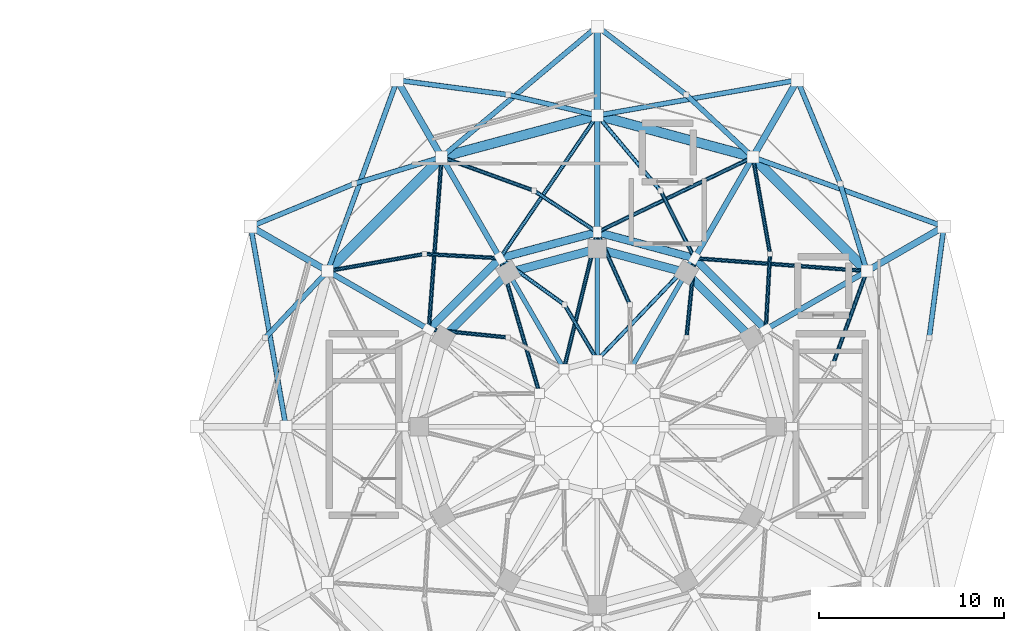
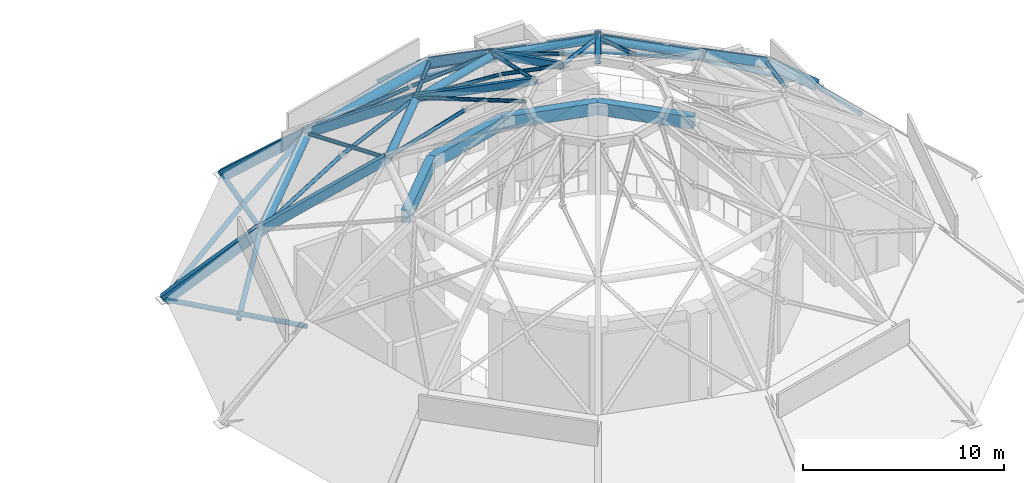
# One storey, part 23 of 32: 57 members, 4 beams.
"""IFC4 building model written with IfcOpenShell, lengths in metres."""

import ifcopenshell
import ifcopenshell.guid

model = None  # the IFC model being written
_history = None  # IfcOwnerHistory: only IFC2X3 demands one
_inside = {}  # id of a spatial element -> (the spatial element, [elements in it])
_under = {}  # id of a project, library or spatial element -> (it, [spatial elements below it])
_declared = {}  # id of a project -> (the project, [libraries it declares])
_typed = {}  # id of a type object -> (the type object, [elements of that type])
_made_of = {}  # id of a material, layer set ... -> (it, [elements and type objects made of it])


def new_model(schema):
    """Start an empty IFC model of exactly this schema.

    Asked for "IFC4X3", IfcOpenShell would pick the latest addendum, in which some entities
    have other attributes; the version numbers below select the first issue.
    IFC2X3 requires an IfcOwnerHistory on every rooted entity: one is made here for all.
    """
    global model, _history
    if schema == "IFC4X3":
        model = ifcopenshell.file(schema_version=(4, 3, 0, 0))
    else:
        model = ifcopenshell.file(schema=schema)
    _inside.clear()
    _under.clear()
    _declared.clear()
    _typed.clear()
    _made_of.clear()
    _history = None
    if model.schema == "IFC2X3":
        org = make("IfcOrganization", Name="unknown")
        user = make(
            "IfcPersonAndOrganization",
            ThePerson=make("IfcPerson", FamilyName="unknown"),
            TheOrganization=org,
        )
        app = make(
            "IfcApplication",
            ApplicationDeveloper=org,
            Version="unknown",
            ApplicationFullName="unknown",
            ApplicationIdentifier="unknown",
        )
        _history = make(
            "IfcOwnerHistory",
            OwningUser=user,
            OwningApplication=app,
            ChangeAction="ADDED",
            CreationDate=0,
        )
    return model


def make(cls, **values):
    """One entity of the class cls with the attributes given. An attribute that is None is left unset."""
    return model.create_entity(
        cls, **{name: value for name, value in values.items() if value is not None}
    )


def rooted(cls, **values):
    """An entity with a GlobalId (a new one), such as an element, a storey or a relation."""
    return make(cls, GlobalId=ifcopenshell.guid.new(), OwnerHistory=_history, **values)


def si_unit(unit_type, name, prefix=None):
    """IfcSIUnit, for example si_unit("LENGTHUNIT", "METRE", prefix="MILLI")."""
    return make("IfcSIUnit", UnitType=unit_type, Prefix=prefix, Name=name)


def assignment(units):
    """IfcUnitAssignment: the units of a project."""
    return None if units is None else make("IfcUnitAssignment", Units=units)


def point(xyz):
    """IfcCartesianPoint."""
    return None if xyz is None else make("IfcCartesianPoint", Coordinates=xyz)


def direction(xyz):
    """IfcDirection."""
    return None if xyz is None else make("IfcDirection", DirectionRatios=xyz)


def frame(location, z_axis=None, x_axis=None):
    """IfcAxis2Placement3D, a coordinate frame: its origin and axes. An axis left out is left unset."""
    return make(
        "IfcAxis2Placement3D",
        Location=point(location),
        Axis=direction(z_axis),
        RefDirection=direction(x_axis),
    )


def frame_2d(location, x_axis=None):
    """IfcAxis2Placement2D, a coordinate frame in the plane: its origin and x axis."""
    return make(
        "IfcAxis2Placement2D", Location=point(location), RefDirection=direction(x_axis)
    )


def origin():
    """The frame at (0, 0, 0) with its axes left unset."""
    return frame((0.0, 0.0, 0.0))


def origin_2d():
    """The frame at (0, 0) in the plane with its x axis left unset."""
    return frame_2d((0.0, 0.0))


def place(relative_to, where):
    """IfcLocalPlacement: puts the frame where relative to a parent placement (None: the world)."""
    return make(
        "IfcLocalPlacement", PlacementRelTo=relative_to, RelativePlacement=where
    )


def context(
    kind, dimensions, precision=None, world=None, true_north=None, identifier=None
):
    """IfcGeometricRepresentationContext, for example the 3D "Model" context."""
    return make(
        "IfcGeometricRepresentationContext",
        ContextIdentifier=identifier,
        ContextType=kind,
        CoordinateSpaceDimension=dimensions,
        Precision=precision,
        WorldCoordinateSystem=world,
        TrueNorth=true_north,
    )


def subcontext(parent, identifier, kind, view, scale=None):
    """IfcGeometricRepresentationSubContext, for example "Body" below "Model"."""
    return make(
        "IfcGeometricRepresentationSubContext",
        ContextIdentifier=identifier,
        ContextType=kind,
        ParentContext=parent,
        TargetScale=scale,
        TargetView=view,
    )


def project(units=None, contexts=None):
    """IfcProject with its units and contexts."""
    return rooted(
        "IfcProject",
        Name="project",
        RepresentationContexts=contexts,
        UnitsInContext=assignment(units),
    )


def spatial(cls, under=None, at=None, **own):
    """A site, building, storey or space (cls), placed at a placement, below another one or the project."""
    s = rooted(cls, ObjectPlacement=at, **own)
    if under is not None:
        _under.setdefault(under.id(), (under, []))[1].append(s)
    return s


def profile(cls, at=None, kind="AREA", **sizes):
    """A parametric profile (cls). Its sizes go by their IFC names, for example OverallWidth=200.0."""
    return make(cls, ProfileType=kind, Position=at, **sizes)


def rectangle(**sizes):
    """IfcRectangleProfileDef."""
    return profile("IfcRectangleProfileDef", **sizes)


def hollow_rectangle(**sizes):
    """IfcRectangleHollowProfileDef."""
    return profile("IfcRectangleHollowProfileDef", **sizes)


def hollow_circle(**sizes):
    """IfcCircleHollowProfileDef."""
    return profile("IfcCircleHollowProfileDef", **sizes)


def extrude(swept, where, along, depth):
    """IfcExtrudedAreaSolid: the profile swept, set in the frame where, extruded along a direction by depth."""
    return make(
        "IfcExtrudedAreaSolid",
        SweptArea=swept,
        Position=where,
        ExtrudedDirection=direction(along),
        Depth=depth,
    )


def shape(context_of_items, identifier, shape_type, items):
    """IfcShapeRepresentation: the items that make up one representation, for example the "Body"."""
    return make(
        "IfcShapeRepresentation",
        ContextOfItems=context_of_items,
        RepresentationIdentifier=identifier,
        RepresentationType=shape_type,
        Items=items,
    )


def material(Name=None, Category=None):
    """IfcMaterial."""
    return make("IfcMaterial", Name=Name, Category=Category)


def material_profile(
    of_material, cross_section, Name=None, Category=None, Priority=None
):
    """IfcMaterialProfile: a cross section and its material."""
    return make(
        "IfcMaterialProfile",
        Name=Name,
        Material=of_material,
        Profile=cross_section,
        Priority=Priority,
        Category=Category,
    )


def profile_set(profiles, Name=None, composite=None):
    """IfcMaterialProfileSet."""
    return make(
        "IfcMaterialProfileSet",
        Name=Name,
        MaterialProfiles=profiles,
        CompositeProfile=composite,
    )


def made_of(thing, what):
    """Note that an element or type object is made of a material, layer set ...; save() writes the relation."""
    if what is not None:
        _made_of.setdefault(what.id(), (what, []))[1].append(thing)
    return thing


def type_object(cls, material=None, **own):
    """A type object (cls), such as IfcWallType, which elements share."""
    return made_of(rooted(cls, **own), material)


def element(
    cls,
    number,
    at=None,
    inside=None,
    cuts=None,
    type_object=None,
    material=None,
    context=None,
    identifier="Body",
    shape_type=None,
    held_by="IfcProductDefinitionShape",
    body=None,
    shapes=None,
    **own,
):
    """One element of the class cls, such as IfcWall. Its Tag is "e" and its number.

    at: its placement. inside: the storey or other place that contains it. cuts: it is an
    opening in that element (IfcRelVoidsElement). A single representation is given by context,
    identifier, shape_type and body (its items); several are given by shapes. held_by: the class
    of the entity that holds the representations. save() writes the other relations.
    """
    e = rooted(cls, Tag="e%d" % number, ObjectPlacement=at, **own)
    if body is not None:
        shapes = [shape(context, identifier, shape_type, body)]
    if shapes is not None:
        e.Representation = make(held_by, Representations=shapes)
    if inside is not None:
        _inside.setdefault(inside.id(), (inside, []))[1].append(e)
    if cuts is not None:
        rooted(
            "IfcRelVoidsElement", RelatingBuildingElement=cuts, RelatedOpeningElement=e
        )
    if type_object is not None:
        _typed.setdefault(type_object.id(), (type_object, []))[1].append(e)
    return made_of(e, material)


def aggregate(whole, parts):
    """IfcRelAggregates: a whole, such as a stair, and the parts it consists of."""
    return rooted("IfcRelAggregates", RelatingObject=whole, RelatedObjects=parts)


def save(model, path):
    """Write the relations noted so far, then the file.

    IfcRelAggregates (storeys below a building ...), IfcRelContainedInSpatialStructure (elements
    in a storey), IfcRelDefinesByType, IfcRelAssociatesMaterial and IfcRelDeclares: one each for
    every whole, place, type object, material and project.
    """
    for whole, parts in _under.values():
        aggregate(whole, parts)
    for where, things in _inside.values():
        rooted(
            "IfcRelContainedInSpatialStructure",
            RelatedElements=things,
            RelatingStructure=where,
        )
    for kind, things in _typed.values():
        rooted("IfcRelDefinesByType", RelatedObjects=things, RelatingType=kind)
    for what, things in _made_of.values():
        rooted("IfcRelAssociatesMaterial", RelatedObjects=things, RelatingMaterial=what)
    for by, libraries in _declared.values():
        rooted("IfcRelDeclares", RelatingContext=by, RelatedDefinitions=libraries)
    model.write(path)


model = new_model("IFC4")

# Units and contexts
model_context = context("Model", 3, precision=1e-05, world=origin(), true_north=direction((0.0, 1.0)))
body_context = subcontext(model_context, "Body", "Model", "MODEL_VIEW")
ifc_project = project(units=[si_unit("LENGTHUNIT", "METRE"), si_unit("AREAUNIT", "SQUARE_METRE"), si_unit("VOLUMEUNIT", "CUBIC_METRE"), si_unit("PLANEANGLEUNIT", "RADIAN"), si_unit("MASSUNIT", "GRAM", prefix="KILO")], contexts=[model_context])

# Site, building, storey
site_placement = place(None, origin())
site = spatial("IfcSite", under=ifc_project, at=site_placement, CompositionType="ELEMENT")
building_placement = place(site_placement, origin())
building = spatial("IfcBuilding", under=site, at=building_placement, Name="Haizhuo Lancet Aquarium", CompositionType="ELEMENT")
storey_placement = place(building_placement, frame((0.0, 0.0, 27.0)))
storey = spatial("IfcBuildingStorey", under=building, at=storey_placement, Name="L05", CompositionType="ELEMENT", Elevation=27.0)

# Beams
ifc_material_1 = material(Name="Concrete C40/50", Category="concrete")
ifc_material_profile_1 = material_profile(ifc_material_1, rectangle(XDim=0.449951171875, YDim=0.75, at=origin_2d()), Name="RC-BM 450x750")
ifc_profile_set_1 = profile_set([ifc_material_profile_1], Name="Concrete C40/50")
beam_type = type_object("IfcBeamType", Name="BM-RC-450x750", PredefinedType="BEAM", material=ifc_profile_set_1)
for number, where, z_axis, x_axis, name in (
    (1, (8.31396484375, 4.800048828125, 5.02490234375), (-0.707106781187, 0.707106781187, 0.0), (-0.707106781187, -0.707106781187, 0.0), "L05 inner observation ring beam 2"),
    (2, (4.800048828125, 8.31396484375, 5.02490234375), (-0.965927657214, 0.258812211902, 0.0), (-0.258812211902, -0.965927657214, 0.0), "L05 inner observation ring beam 3"),
    (3, (0.0, 9.60009765625, 5.02490234375), (-0.965927657214, -0.258812211902, 0.0), (0.258812211902, -0.965927657214, 0.0), "L05 inner observation ring beam 4"),
    (4, (-4.800048828125, 8.31396484375, 5.02490234375), (-0.707106781187, -0.707106781187, 0.0), (0.707106781187, -0.707106781187, 0.0), "L05 inner observation ring beam 5"),
):
    element("IfcBeam", number, at=place(storey_placement, frame(where, z_axis=z_axis, x_axis=x_axis)), inside=storey, type_object=beam_type, Name=name, PredefinedType="BEAM", context=body_context, shape_type="SweptSolid", body=[
        extrude(rectangle(XDim=0.449951171875, YDim=0.75, at=origin_2d()), origin(), (0.0, 0.0, 1.0), 4.969482421875),
    ])

# Members
ifc_material_2 = material(Name="Steel S355", Category="steel")
ifc_material_profile_2 = material_profile(ifc_material_2, hollow_circle(Radius=0.109619140625, WallThickness=0.010009765625, at=origin_2d()), Name="CHS 219x10")
ifc_profile_set_2 = profile_set([ifc_material_profile_2], Name="Steel S355")
member_type_1 = type_object("IfcMemberType", Name="MEM-DB-CHS219", PredefinedType="BRACE", material=ifc_profile_set_2)
member_1_placement = place(storey_placement, frame((14.549072265625, 8.39990234375, 4.25), z_axis=(-0.316146806063, -0.869595294997, 0.379282506762), x_axis=(0.93981760202, -0.3416765648, 0.0)))
element("IfcMember", 5, at=member_1_placement, inside=storey, type_object=member_type_1, Name="Ocean Hall dome split diagonal brace B1 tier 2 bay 1", PredefinedType="BRACE", context=body_context, shape_type="SweptSolid", body=[
    extrude(hollow_circle(Radius=0.109619140625, WallThickness=0.010009765625, at=origin_2d()), origin(), (0.0, 0.0, 1.0), 5.734619140625),
])
member_2_placement = place(storey_placement, frame((14.549072265625, 8.39990234375, 4.25), z_axis=(-0.903732348339, 0.067360553885, 0.422765181094), x_axis=(-0.074329767691, -0.997233716656, 0.0)))
element("IfcMember", 6, at=member_2_placement, inside=storey, type_object=member_type_1, Name="Ocean Hall dome continuous diagonal brace A tier 2 bay 2", PredefinedType="BRACE", context=body_context, shape_type="SweptSolid", body=[
    extrude(hollow_circle(Radius=0.109619140625, WallThickness=0.010009765625, at=origin_2d()), origin(), (0.0, 0.0, 1.0), 10.28955078125),
])
member_3_placement = place(storey_placement, frame((8.39990234375, 14.549072265625, 4.25), z_axis=(0.160947093564, -0.911196372611, 0.379232387349), x_axis=(0.984756222272, 0.173940169878, 0.0)))
element("IfcMember", 7, at=member_3_placement, inside=storey, type_object=member_type_1, Name="Ocean Hall dome split diagonal brace B1 tier 2 bay 2", PredefinedType="BRACE", context=body_context, shape_type="SweptSolid", body=[
    extrude(hollow_circle(Radius=0.109619140625, WallThickness=0.010009765625, at=origin_2d()), origin(), (0.0, 0.0, 1.0), 5.7353515625),
])
member_4_placement = place(storey_placement, frame((9.322998046875, 9.322998046875, 6.425048828125), z_axis=(-0.049745957009, -0.88101040422, 0.47047423672), x_axis=(0.998409672596, -0.056374867325, 0.0)))
element("IfcMember", 8, at=member_4_placement, inside=storey, type_object=member_type_1, Name="Ocean Hall dome split diagonal brace B2 tier 2 bay 2", PredefinedType="BRACE", context=body_context, shape_type="SweptSolid", body=[
    extrude(hollow_circle(Radius=0.109619140625, WallThickness=0.010009765625, at=origin_2d()), origin(), (0.0, 0.0, 1.0), 4.623046875),
])
member_5_placement = place(storey_placement, frame((8.39990234375, 14.549072265625, 4.25), z_axis=(-0.816345585423, -0.393509606878, 0.422764798032), x_axis=(0.43422255621, -0.900805623694, 0.0)))
element("IfcMember", 9, at=member_5_placement, inside=storey, type_object=member_type_1, Name="Ocean Hall dome continuous diagonal brace A tier 2 bay 3", PredefinedType="BRACE", context=body_context, shape_type="SweptSolid", body=[
    extrude(hollow_circle(Radius=0.109619140625, WallThickness=0.010009765625, at=origin_2d()), origin(), (0.0, 0.0, 1.0), 10.28955078125),
])
member_6_placement = place(storey_placement, frame((0.0, 16.800048828125, 4.25), z_axis=(0.595082221434, -0.708564996995, 0.379226574446), x_axis=(0.765764673911, 0.643120878366, 0.0)))
element("IfcMember", 10, at=member_6_placement, inside=storey, type_object=member_type_1, Name="Ocean Hall dome split diagonal brace B1 tier 2 bay 3", PredefinedType="BRACE", context=body_context, shape_type="SweptSolid", body=[
    extrude(hollow_circle(Radius=0.109619140625, WallThickness=0.010009765625, at=origin_2d()), origin(), (0.0, 0.0, 1.0), 5.735595703125),
])
member_7_placement = place(storey_placement, frame((3.4130859375, 12.736083984375, 6.425048828125), z_axis=(0.397296941174, -0.787940584289, 0.470430415858), x_axis=(0.892914169371, 0.450226927379, 0.0)))
element("IfcMember", 11, at=member_7_placement, inside=storey, type_object=member_type_1, Name="Ocean Hall dome split diagonal brace B2 tier 2 bay 3", PredefinedType="BRACE", context=body_context, shape_type="SweptSolid", body=[
    extrude(hollow_circle(Radius=0.109619140625, WallThickness=0.010009765625, at=origin_2d()), origin(), (0.0, 0.0, 1.0), 4.62353515625),
])
member_8_placement = place(storey_placement, frame((0.0, 16.800048828125, 4.25), z_axis=(-0.510203888152, -0.748982344734, 0.422749854868), x_axis=(0.826466548596, -0.562985829353, 0.0)))
element("IfcMember", 12, at=member_8_placement, inside=storey, type_object=member_type_1, Name="Ocean Hall dome continuous diagonal brace A tier 2 bay 4", PredefinedType="BRACE", context=body_context, shape_type="SweptSolid", body=[
    extrude(hollow_circle(Radius=0.109619140625, WallThickness=0.010009765625, at=origin_2d()), origin(), (0.0, 0.0, 1.0), 10.2900390625),
])
member_9_placement = place(storey_placement, frame((-8.39990234375, 14.549072265625, 4.25), z_axis=(0.869595294997, -0.316146806063, 0.379282506762), x_axis=(0.3416765648, 0.93981760202, 0.0)))
element("IfcMember", 13, at=member_9_placement, inside=storey, type_object=member_type_1, Name="Ocean Hall dome split diagonal brace B1 tier 2 bay 4", PredefinedType="BRACE", context=body_context, shape_type="SweptSolid", body=[
    extrude(hollow_circle(Radius=0.109619140625, WallThickness=0.010009765625, at=origin_2d()), origin(), (0.0, 0.0, 1.0), 5.734619140625),
])
member_10_placement = place(storey_placement, frame((-3.4130859375, 12.736083984375, 6.425048828125), z_axis=(0.738146758319, -0.483597007113, 0.470396957787), x_axis=(0.548013265154, 0.836469641538, 0.0)))
element("IfcMember", 14, at=member_10_placement, inside=storey, type_object=member_type_1, Name="Ocean Hall dome split diagonal brace B2 tier 2 bay 4", PredefinedType="BRACE", context=body_context, shape_type="SweptSolid", body=[
    extrude(hollow_circle(Radius=0.109619140625, WallThickness=0.010009765625, at=origin_2d()), origin(), (0.0, 0.0, 1.0), 4.623779296875),
])
member_11_placement = place(storey_placement, frame((-8.39990234375, 14.549072265625, 4.25), z_axis=(-0.067360553885, -0.903732348339, 0.422765181094), x_axis=(0.997233716656, -0.074329767691, 0.0)))
element("IfcMember", 15, at=member_11_placement, inside=storey, type_object=member_type_1, Name="Ocean Hall dome continuous diagonal brace A tier 2 bay 5", PredefinedType="BRACE", context=body_context, shape_type="SweptSolid", body=[
    extrude(hollow_circle(Radius=0.109619140625, WallThickness=0.010009765625, at=origin_2d()), origin(), (0.0, 0.0, 1.0), 10.28955078125),
])
member_12_placement = place(storey_placement, frame((-14.549072265625, 8.39990234375, 4.25), z_axis=(0.911196372611, 0.160947093564, 0.379232387349), x_axis=(-0.173940169878, 0.984756222272, 0.0)))
element("IfcMember", 16, at=member_12_placement, inside=storey, type_object=member_type_1, Name="Ocean Hall dome split diagonal brace B1 tier 2 bay 5", PredefinedType="BRACE", context=body_context, shape_type="SweptSolid", body=[
    extrude(hollow_circle(Radius=0.109619140625, WallThickness=0.010009765625, at=origin_2d()), origin(), (0.0, 0.0, 1.0), 5.7353515625),
])
member_13_placement = place(storey_placement, frame((-9.322998046875, 9.322998046875, 6.425048828125), z_axis=(0.88101040422, -0.049745957009, 0.47047423672), x_axis=(0.056374867325, 0.998409672596, 0.0)))
element("IfcMember", 17, at=member_13_placement, inside=storey, type_object=member_type_1, Name="Ocean Hall dome split diagonal brace B2 tier 2 bay 5", PredefinedType="BRACE", context=body_context, shape_type="SweptSolid", body=[
    extrude(hollow_circle(Radius=0.109619140625, WallThickness=0.010009765625, at=origin_2d()), origin(), (0.0, 0.0, 1.0), 4.623046875),
])
member_14_placement = place(storey_placement, frame((5.25, 9.093017578125, 8.60009765625), z_axis=(-0.093900701604, -0.923356899106, 0.372283084642), x_axis=(0.994868837291, -0.101173102097, 0.0)))
element("IfcMember", 18, at=member_14_placement, inside=storey, type_object=member_type_1, Name="Ocean Hall dome split diagonal brace B1 tier 3 bay 2", PredefinedType="BRACE", context=body_context, shape_type="SweptSolid", body=[
    extrude(hollow_circle(Radius=0.109619140625, WallThickness=0.010009765625, at=origin_2d()), origin(), (0.0, 0.0, 1.0), 4.633056640625),
])
member_15_placement = place(storey_placement, frame((5.25, 9.093017578125, 8.60009765625), z_axis=(-0.629129137483, -0.658239232898, 0.413421867642), x_axis=(0.722911155551, -0.690940996887, 0.0)))
element("IfcMember", 19, at=member_15_placement, inside=storey, type_object=member_type_1, Name="Ocean Hall dome continuous diagonal brace A tier 3 bay 3", PredefinedType="BRACE", context=body_context, shape_type="SweptSolid", body=[
    extrude(hollow_circle(Radius=0.109619140625, WallThickness=0.010009765625, at=origin_2d()), origin(), (0.0, 0.0, 1.0), 8.344970703125),
])
member_16_placement = place(storey_placement, frame((0.0, 10.5, 8.60009765625), z_axis=(0.380325172694, -0.846601621079, 0.372314998626), x_axis=(0.912181615693, 0.409786163738, 0.0)))
element("IfcMember", 20, at=member_16_placement, inside=storey, type_object=member_type_1, Name="Ocean Hall dome split diagonal brace B1 tier 3 bay 3", PredefinedType="BRACE", context=body_context, shape_type="SweptSolid", body=[
    extrude(hollow_circle(Radius=0.109619140625, WallThickness=0.010009765625, at=origin_2d()), origin(), (0.0, 0.0, 1.0), 4.6328125),
])
member_17_placement = place(storey_placement, frame((0.0, 10.5, 8.60009765625), z_axis=(-0.215706320749, -0.884621188184, 0.413420048624), x_axis=(0.97153422852, -0.236899225018, 0.0)))
element("IfcMember", 21, at=member_17_placement, inside=storey, type_object=member_type_1, Name="Ocean Hall dome continuous diagonal brace A tier 3 bay 4", PredefinedType="BRACE", context=body_context, shape_type="SweptSolid", body=[
    extrude(hollow_circle(Radius=0.109619140625, WallThickness=0.010009765625, at=origin_2d()), origin(), (0.0, 0.0, 1.0), 8.344970703125),
])
member_18_placement = place(storey_placement, frame((-5.25, 9.093017578125, 8.60009765625), z_axis=(0.752819770584, -0.542839593795, 0.372273512926), x_axis=(0.584878893556, 0.811120632133, 0.0)))
element("IfcMember", 22, at=member_18_placement, inside=storey, type_object=member_type_1, Name="Ocean Hall dome split diagonal brace B1 tier 3 bay 4", PredefinedType="BRACE", context=body_context, shape_type="SweptSolid", body=[
    extrude(hollow_circle(Radius=0.109619140625, WallThickness=0.010009765625, at=origin_2d()), origin(), (0.0, 0.0, 1.0), 4.63330078125),
])
member_19_placement = place(storey_placement, frame((-1.761962890625, 6.577880859375, 10.324951171875), z_axis=(0.455732537231, -0.770205037634, 0.446197326877), x_axis=(0.860627172273, 0.509235574509, 0.0)))
element("IfcMember", 23, at=member_19_placement, inside=storey, type_object=member_type_1, Name="Ocean Hall dome split diagonal brace B2 tier 3 bay 4", PredefinedType="BRACE", context=body_context, shape_type="SweptSolid", body=[
    extrude(hollow_circle(Radius=0.109619140625, WallThickness=0.010009765625, at=origin_2d()), origin(), (0.0, 0.0, 1.0), 3.8662109375),
])
member_20_placement = place(storey_placement, frame((-5.25, 9.093017578125, 8.60009765625), z_axis=(0.255498714231, -0.87395598208, 0.41342635186), x_axis=(0.959824194709, 0.28060205853, 0.0)))
element("IfcMember", 24, at=member_20_placement, inside=storey, type_object=member_type_1, Name="Ocean Hall dome continuous diagonal brace A tier 3 bay 5", PredefinedType="BRACE", context=body_context, shape_type="SweptSolid", body=[
    extrude(hollow_circle(Radius=0.109619140625, WallThickness=0.010009765625, at=origin_2d()), origin(), (0.0, 0.0, 1.0), 8.3447265625),
])
member_21_placement = place(storey_placement, frame((-9.093017578125, 5.25, 8.60009765625), z_axis=(0.923356899106, -0.093900701604, 0.372283084642), x_axis=(0.101173102097, 0.994868837291, 0.0)))
element("IfcMember", 25, at=member_21_placement, inside=storey, type_object=member_type_1, Name="Ocean Hall dome split diagonal brace B1 tier 3 bay 5", PredefinedType="BRACE", context=body_context, shape_type="SweptSolid", body=[
    extrude(hollow_circle(Radius=0.109619140625, WallThickness=0.010009765625, at=origin_2d()), origin(), (0.0, 0.0, 1.0), 4.633056640625),
])
ifc_material_profile_3 = material_profile(ifc_material_2, hollow_circle(Radius=0.136474609375, WallThickness=0.011962890625, at=origin_2d()), Name="CHS 273x12")
ifc_profile_set_3 = profile_set([ifc_material_profile_3], Name="Steel S355")
member_type_2 = type_object("IfcMemberType", Name="MEM-DB-CHS273", PredefinedType="BRACE", material=ifc_profile_set_3)
member_22_placement = place(storey_placement, frame((18.7060546875, 10.800048828125, 0.0), z_axis=(-0.123473446542, -0.935414125222, 0.331292502683), x_axis=(0.991400387629, -0.130863560281, 0.0)))
element("IfcMember", 26, at=member_22_placement, inside=storey, type_object=member_type_2, Name="Ocean Hall dome split diagonal brace B1 tier 1 bay 1", PredefinedType="BRACE", context=body_context, shape_type="SweptSolid", body=[
    extrude(hollow_circle(Radius=0.136474609375, WallThickness=0.011962890625, at=origin_2d()), origin(), (0.0, 0.0, 1.0), 6.414306640625),
])
member_23_placement = place(storey_placement, frame((18.7060546875, 10.800048828125, 0.0), z_axis=(-0.876256756089, 0.318752043078, 0.361346416118), x_axis=(-0.341850306895, -0.939754418811, 0.0)))
element("IfcMember", 27, at=member_23_placement, inside=storey, type_object=member_type_2, Name="Ocean Hall dome continuous diagonal brace A tier 1 bay 2", PredefinedType="BRACE", context=body_context, shape_type="SweptSolid", body=[
    extrude(hollow_circle(Radius=0.136474609375, WallThickness=0.011962890625, at=origin_2d()), origin(), (0.0, 0.0, 1.0), 11.761474609375),
])
member_24_placement = place(storey_placement, frame((10.800048828125, 18.7060546875, 0.0), z_axis=(0.360760877584, -0.871832443665, 0.33130013489), x_axis=(0.924015849485, 0.382354168148, 0.0)))
element("IfcMember", 28, at=member_24_placement, inside=storey, type_object=member_type_2, Name="Ocean Hall dome split diagonal brace B1 tier 1 bay 2", PredefinedType="BRACE", context=body_context, shape_type="SweptSolid", body=[
    extrude(hollow_circle(Radius=0.136474609375, WallThickness=0.011962890625, at=origin_2d()), origin(), (0.0, 0.0, 1.0), 6.4140625),
])
member_25_placement = place(storey_placement, frame((13.114013671875, 13.114013671875, 2.125), z_axis=(0.267417298533, -0.878455361923, 0.395985057236), x_axis=(0.95665527785, 0.291222731535, 0.0)))
element("IfcMember", 29, at=member_25_placement, inside=storey, type_object=member_type_2, Name="Ocean Hall dome split diagonal brace B2 tier 1 bay 2", PredefinedType="BRACE", context=body_context, shape_type="SweptSolid", body=[
    extrude(hollow_circle(Radius=0.136474609375, WallThickness=0.011962890625, at=origin_2d()), origin(), (0.0, 0.0, 1.0), 5.366455078125),
])
member_26_placement = place(storey_placement, frame((10.800048828125, 18.7060546875, 0.0), z_axis=(-0.918242656278, -0.162052589858, 0.361343856059), x_axis=(0.173795493508, -0.984781765893, 0.0)))
element("IfcMember", 30, at=member_26_placement, inside=storey, type_object=member_type_2, Name="Ocean Hall dome continuous diagonal brace A tier 1 bay 3", PredefinedType="BRACE", context=body_context, shape_type="SweptSolid", body=[
    extrude(hollow_circle(Radius=0.136474609375, WallThickness=0.011962890625, at=origin_2d()), origin(), (0.0, 0.0, 1.0), 11.76171875),
])
member_27_placement = place(storey_placement, frame((0.0, 21.60009765625, 0.0), z_axis=(0.74833825507, -0.574661053611, 0.331292211593), x_axis=(0.609055512664, 0.793127595343, 0.0)))
element("IfcMember", 31, at=member_27_placement, inside=storey, type_object=member_type_2, Name="Ocean Hall dome split diagonal brace B1 tier 1 bay 3", PredefinedType="BRACE", context=body_context, shape_type="SweptSolid", body=[
    extrude(hollow_circle(Radius=0.136474609375, WallThickness=0.011962890625, at=origin_2d()), origin(), (0.0, 0.0, 1.0), 6.414306640625),
])
member_28_placement = place(storey_placement, frame((4.800048828125, 17.9140625, 2.125), z_axis=(0.670819539357, -0.627053625701, 0.395985979692), x_axis=(0.682874106521, 0.730536073471, 0.0)))
element("IfcMember", 32, at=member_28_placement, inside=storey, type_object=member_type_2, Name="Ocean Hall dome split diagonal brace B2 tier 1 bay 3", PredefinedType="BRACE", context=body_context, shape_type="SweptSolid", body=[
    extrude(hollow_circle(Radius=0.136474609375, WallThickness=0.011962890625, at=origin_2d()), origin(), (0.0, 0.0, 1.0), 5.366455078125),
])
member_29_placement = place(storey_placement, frame((0.0, 21.60009765625, 0.0), z_axis=(-0.714173573017, -0.59948982626, 0.361342020551), x_axis=(0.642930488298, -0.765924531019, 0.0)))
element("IfcMember", 33, at=member_29_placement, inside=storey, type_object=member_type_2, Name="Ocean Hall dome continuous diagonal brace A tier 1 bay 4", PredefinedType="BRACE", context=body_context, shape_type="SweptSolid", body=[
    extrude(hollow_circle(Radius=0.136474609375, WallThickness=0.011962890625, at=origin_2d()), origin(), (0.0, 0.0, 1.0), 11.76171875),
])
member_30_placement = place(storey_placement, frame((-10.800048828125, 18.7060546875, 0.0), z_axis=(0.935414125222, -0.123473446542, 0.331292502683), x_axis=(0.130863560281, 0.991400387629, 0.0)))
element("IfcMember", 34, at=member_30_placement, inside=storey, type_object=member_type_2, Name="Ocean Hall dome split diagonal brace B1 tier 1 bay 4", PredefinedType="BRACE", context=body_context, shape_type="SweptSolid", body=[
    extrude(hollow_circle(Radius=0.136474609375, WallThickness=0.011962890625, at=origin_2d()), origin(), (0.0, 0.0, 1.0), 6.414306640625),
])
member_31_placement = place(storey_placement, frame((-4.800048828125, 17.9140625, 2.125), z_axis=(0.894481011437, -0.207594570733, 0.395990169551), x_axis=(0.226075139571, 0.974109866118, 0.0)))
element("IfcMember", 35, at=member_31_placement, inside=storey, type_object=member_type_2, Name="Ocean Hall dome split diagonal brace B2 tier 1 bay 4", PredefinedType="BRACE", context=body_context, shape_type="SweptSolid", body=[
    extrude(hollow_circle(Radius=0.136474609375, WallThickness=0.011962890625, at=origin_2d()), origin(), (0.0, 0.0, 1.0), 5.3662109375),
])
member_32_placement = place(storey_placement, frame((-10.800048828125, 18.7060546875, 0.0), z_axis=(-0.318752043078, -0.876256756089, 0.361346416118), x_axis=(0.939754418811, -0.341850306895, 0.0)))
element("IfcMember", 36, at=member_32_placement, inside=storey, type_object=member_type_2, Name="Ocean Hall dome continuous diagonal brace A tier 1 bay 5", PredefinedType="BRACE", context=body_context, shape_type="SweptSolid", body=[
    extrude(hollow_circle(Radius=0.136474609375, WallThickness=0.011962890625, at=origin_2d()), origin(), (0.0, 0.0, 1.0), 11.761474609375),
])
member_33_placement = place(storey_placement, frame((-18.7060546875, 10.800048828125, 0.0), z_axis=(0.871832443665, 0.360760877584, 0.33130013489), x_axis=(-0.382354168148, 0.924015849485, 0.0)))
element("IfcMember", 37, at=member_33_placement, inside=storey, type_object=member_type_2, Name="Ocean Hall dome split diagonal brace B1 tier 1 bay 5", PredefinedType="BRACE", context=body_context, shape_type="SweptSolid", body=[
    extrude(hollow_circle(Radius=0.136474609375, WallThickness=0.011962890625, at=origin_2d()), origin(), (0.0, 0.0, 1.0), 6.4140625),
])
member_34_placement = place(storey_placement, frame((-13.114013671875, 13.114013671875, 2.125), z_axis=(0.878455361923, 0.267417298533, 0.395985057236), x_axis=(-0.291222731535, 0.95665527785, 0.0)))
element("IfcMember", 38, at=member_34_placement, inside=storey, type_object=member_type_2, Name="Ocean Hall dome split diagonal brace B2 tier 1 bay 5", PredefinedType="BRACE", context=body_context, shape_type="SweptSolid", body=[
    extrude(hollow_circle(Radius=0.136474609375, WallThickness=0.011962890625, at=origin_2d()), origin(), (0.0, 0.0, 1.0), 5.366455078125),
])
member_35_placement = place(storey_placement, frame((-18.7060546875, 10.800048828125, 0.0), z_axis=(0.162052589858, -0.918242656278, 0.361343856059), x_axis=(0.984781765893, 0.173795493508, 0.0)))
element("IfcMember", 39, at=member_35_placement, inside=storey, type_object=member_type_2, Name="Ocean Hall dome continuous diagonal brace A tier 1 bay 6", PredefinedType="BRACE", context=body_context, shape_type="SweptSolid", body=[
    extrude(hollow_circle(Radius=0.136474609375, WallThickness=0.011962890625, at=origin_2d()), origin(), (0.0, 0.0, 1.0), 11.76171875),
])
member_36_placement = place(storey_placement, frame((-17.9140625, 4.800048828125, 2.125), z_axis=(0.627053625701, 0.670819539357, 0.395985979692), x_axis=(-0.730536073471, 0.682874106521, 0.0)))
element("IfcMember", 40, at=member_36_placement, inside=storey, type_object=member_type_2, Name="Ocean Hall dome split diagonal brace B2 tier 1 bay 6", PredefinedType="BRACE", context=body_context, shape_type="SweptSolid", body=[
    extrude(hollow_circle(Radius=0.136474609375, WallThickness=0.011962890625, at=origin_2d()), origin(), (0.0, 0.0, 1.0), 5.366455078125),
])
ifc_material_profile_4 = material_profile(ifc_material_2, hollow_rectangle(XDim=0.25, YDim=0.39990234375, WallThickness=0.013916015625, at=origin_2d()), Name="RHS 250x400x14")
ifc_profile_set_4 = profile_set([ifc_material_profile_4], Name="Steel S355")
member_type_3 = type_object("IfcMemberType", Name="MEM-DR-RHS250x400", PredefinedType="USERDEFINED", material=ifc_profile_set_4)
member_37_placement = place(storey_placement, frame((5.25, 9.093017578125, 8.60009765625), z_axis=(-0.44723124611, -0.774576287403, 0.44723124611), x_axis=(0.866011161331, -0.500024667842, 0.0)))
element("IfcMember", 41, at=member_37_placement, inside=storey, type_object=member_type_3, Name="Ocean Hall dome arch rib DR-3 bay 3", ObjectType="ARCH_SEGMENT", PredefinedType="USERDEFINED", context=body_context, shape_type="SweptSolid", body=[
    extrude(hollow_rectangle(XDim=0.25, YDim=0.39990234375, WallThickness=0.013916015625, at=origin_2d()), origin(), (0.0, 0.0, 1.0), 7.714111328125),
])
member_38_placement = place(storey_placement, frame((0.0, 10.5, 8.60009765625), z_axis=(0.0, -0.894427191, 0.4472135955), x_axis=(1.0, 0.0, 0.0)))
element("IfcMember", 42, at=member_38_placement, inside=storey, type_object=member_type_3, Name="Ocean Hall dome arch rib DR-3 bay 4", ObjectType="ARCH_SEGMENT", PredefinedType="USERDEFINED", context=body_context, shape_type="SweptSolid", body=[
    extrude(hollow_rectangle(XDim=0.25, YDim=0.39990234375, WallThickness=0.013916015625, at=origin_2d()), origin(), (0.0, 0.0, 1.0), 7.71435546875),
])
member_39_placement = place(storey_placement, frame((-5.25, 9.093017578125, 8.60009765625), z_axis=(0.44723124611, -0.774576287403, 0.44723124611), x_axis=(0.866011161331, 0.500024667842, 0.0)))
element("IfcMember", 43, at=member_39_placement, inside=storey, type_object=member_type_3, Name="Ocean Hall dome arch rib DR-3 bay 5", ObjectType="ARCH_SEGMENT", PredefinedType="USERDEFINED", context=body_context, shape_type="SweptSolid", body=[
    extrude(hollow_rectangle(XDim=0.25, YDim=0.39990234375, WallThickness=0.013916015625, at=origin_2d()), origin(), (0.0, 0.0, 1.0), 7.714111328125),
])
ifc_material_profile_5 = material_profile(ifc_material_2, hollow_rectangle(XDim=0.300048828125, YDim=0.5, WallThickness=0.01611328125, at=origin_2d()), Name="RHS 300x500x16")
ifc_profile_set_5 = profile_set([ifc_material_profile_5], Name="Steel S355")
member_type_4 = type_object("IfcMemberType", Name="MEM-DR-RHS300x500", PredefinedType="USERDEFINED", material=ifc_profile_set_5)
for number, where, z_axis, x_axis, name in (
    (44, (14.549072265625, 8.39990234375, 4.25), (-0.712654279419, -0.411431247229, 0.568197330889), (0.499981869177, -0.866035871367, 0.0), "Ocean Hall dome arch rib DR-2 bay 2"),
    (45, (8.39990234375, 14.549072265625, 4.25), (-0.411431247229, -0.712654279419, 0.568197330889), (0.866035871367, -0.499981869177, 0.0), "Ocean Hall dome arch rib DR-2 bay 3"),
    (46, (0.0, 16.800048828125, 4.25), (0.0, -0.82289299557, 0.568196372605), (1.0, 0.0, 0.0), "Ocean Hall dome arch rib DR-2 bay 4"),
    (47, (-8.39990234375, 14.549072265625, 4.25), (0.411431247229, -0.712654279419, 0.568197330889), (0.866035871367, 0.499981869177, 0.0), "Ocean Hall dome arch rib DR-2 bay 5"),
    (48, (-14.549072265625, 8.39990234375, 4.25), (0.712654279419, -0.411431247229, 0.568197330889), (0.499981869177, 0.866035871367, 0.0), "Ocean Hall dome arch rib DR-2 bay 6"),
):
    element("IfcMember", number, at=place(storey_placement, frame(where, z_axis=z_axis, x_axis=x_axis)), inside=storey, type_object=member_type_4, Name=name, ObjectType="ARCH_SEGMENT", PredefinedType="USERDEFINED", context=body_context, shape_type="SweptSolid", body=[
        extrude(hollow_rectangle(XDim=0.300048828125, YDim=0.5, WallThickness=0.01611328125, at=origin_2d()), origin(), (0.0, 0.0, 1.0), 7.656005859375),
    ])
ifc_material_profile_6 = material_profile(ifc_material_2, hollow_rectangle(XDim=0.35009765625, YDim=0.60009765625, WallThickness=0.02001953125, at=origin_2d()), Name="RHS 350x600x20")
ifc_profile_set_6 = profile_set([ifc_material_profile_6], Name="Steel S355")
member_type_5 = type_object("IfcMemberType", Name="MEM-DR-RHS350x600", PredefinedType="USERDEFINED", material=ifc_profile_set_6)
for number, where, z_axis, x_axis, name in (
    (49, (18.7060546875, 10.800048828125, 0.0), (-0.648392074602, -0.374366740202, 0.662900642196), (0.500017431331, -0.866015339567, 0.0), "Ocean Hall dome arch rib DR-1 bay 2"),
    (50, (10.800048828125, 18.7060546875, 0.0), (-0.374366740202, -0.648392074602, 0.662900642196), (0.866015339567, -0.500017431331, 0.0), "Ocean Hall dome arch rib DR-1 bay 3"),
    (51, (0.0, 21.60009765625, 0.0), (0.0, -0.74870211469, 0.66290658728), (1.0, 0.0, 0.0), "Ocean Hall dome arch rib DR-1 bay 4"),
    (52, (-10.800048828125, 18.7060546875, 0.0), (0.374366740202, -0.648392074602, 0.662900642196), (0.866015339567, 0.500017431331, 0.0), "Ocean Hall dome arch rib DR-1 bay 5"),
    (53, (-18.7060546875, 10.800048828125, 0.0), (0.648392074602, -0.374366740202, 0.662900642196), (0.500017431331, 0.866015339567, 0.0), "Ocean Hall dome arch rib DR-1 bay 6"),
):
    element("IfcMember", number, at=place(storey_placement, frame(where, z_axis=z_axis, x_axis=x_axis)), inside=storey, type_object=member_type_5, Name=name, ObjectType="ARCH_SEGMENT", PredefinedType="USERDEFINED", context=body_context, shape_type="SweptSolid", body=[
        extrude(hollow_rectangle(XDim=0.35009765625, YDim=0.60009765625, WallThickness=0.02001953125, at=origin_2d()), origin(), (0.0, 0.0, 1.0), 6.4111328125),
    ])
ifc_material_profile_7 = material_profile(ifc_material_2, hollow_circle(Radius=0.212890625, WallThickness=0.01611328125, at=origin_2d()), Name="CHS 426x16")
ifc_profile_set_7 = profile_set([ifc_material_profile_7], Name="Steel S355")
member_type_6 = type_object("IfcMemberType", Name="MEM-PR-CHS426", PredefinedType="PURLIN", material=ifc_profile_set_7)
member_40_placement = place(storey_placement, frame((9.093017578125, 5.25, 8.47998046875), z_axis=(-0.707106781187, 0.707106781187, 0.0), x_axis=(-0.707106781187, -0.707106781187, 0.0)))
element("IfcMember", 54, at=member_40_placement, inside=storey, type_object=member_type_6, Name="Ocean Hall dome hoop purlin ring R2 seg 2", PredefinedType="PURLIN", context=body_context, shape_type="SweptSolid", body=[
    extrude(hollow_circle(Radius=0.212890625, WallThickness=0.01611328125, at=origin_2d()), origin(), (0.0, 0.0, 1.0), 5.434814453125),
])
for number, where, z_axis, x_axis, name in (
    (55, (5.25, 9.093017578125, 8.47998046875), (-0.965914364924, 0.258861815711, 0.0), (-0.258861815711, -0.965914364924, 0.0), "Ocean Hall dome hoop purlin ring R2 seg 3"),
    (56, (0.0, 10.5, 8.47998046875), (-0.965914364924, -0.258861815711, 0.0), (0.258861815711, -0.965914364924, 0.0), "Ocean Hall dome hoop purlin ring R2 seg 4"),
):
    element("IfcMember", number, at=place(storey_placement, frame(where, z_axis=z_axis, x_axis=x_axis)), inside=storey, type_object=member_type_6, Name=name, PredefinedType="PURLIN", context=body_context, shape_type="SweptSolid", body=[
        extrude(hollow_circle(Radius=0.212890625, WallThickness=0.01611328125, at=origin_2d()), origin(), (0.0, 0.0, 1.0), 5.435302734375),
    ])
member_41_placement = place(storey_placement, frame((-5.25, 9.093017578125, 8.47998046875), z_axis=(-0.707106781187, -0.707106781187, 0.0), x_axis=(0.707106781187, -0.707106781187, 0.0)))
element("IfcMember", 57, at=member_41_placement, inside=storey, type_object=member_type_6, Name="Ocean Hall dome hoop purlin ring R2 seg 5", PredefinedType="PURLIN", context=body_context, shape_type="SweptSolid", body=[
    extrude(hollow_circle(Radius=0.212890625, WallThickness=0.01611328125, at=origin_2d()), origin(), (0.0, 0.0, 1.0), 5.434814453125),
])
ifc_material_profile_8 = material_profile(ifc_material_2, hollow_circle(Radius=0.264892578125, WallThickness=0.02001953125, at=origin_2d()), Name="CHS 530x20")
ifc_profile_set_8 = profile_set([ifc_material_profile_8], Name="Steel S355")
member_type_7 = type_object("IfcMemberType", Name="MEM-PR-CHS530", PredefinedType="PURLIN", material=ifc_profile_set_8)
for number, where, z_axis, x_axis, name in (
    (58, (14.549072265625, 8.39990234375, 4.1298828125), (-0.707106781187, 0.707106781187, 0.0), (-0.707106781187, -0.707106781187, 0.0), "Ocean Hall dome hoop purlin ring R1 seg 2"),
    (59, (8.39990234375, 14.549072265625, 4.1298828125), (-0.965919227952, 0.258843669177, 0.0), (-0.258843669177, -0.965919227952, 0.0), "Ocean Hall dome hoop purlin ring R1 seg 3"),
    (60, (0.0, 16.800048828125, 4.1298828125), (-0.965919227952, -0.258843669177, 0.0), (0.258843669177, -0.965919227952, 0.0), "Ocean Hall dome hoop purlin ring R1 seg 4"),
    (61, (-8.39990234375, 14.549072265625, 4.1298828125), (-0.707106781187, -0.707106781187, 0.0), (0.707106781187, -0.707106781187, 0.0), "Ocean Hall dome hoop purlin ring R1 seg 5"),
):
    element("IfcMember", number, at=place(storey_placement, frame(where, z_axis=z_axis, x_axis=x_axis)), inside=storey, type_object=member_type_7, Name=name, PredefinedType="PURLIN", context=body_context, shape_type="SweptSolid", body=[
        extrude(hollow_circle(Radius=0.264892578125, WallThickness=0.02001953125, at=origin_2d()), origin(), (0.0, 0.0, 1.0), 8.6962890625),
    ])

save(model, "model.ifc")
